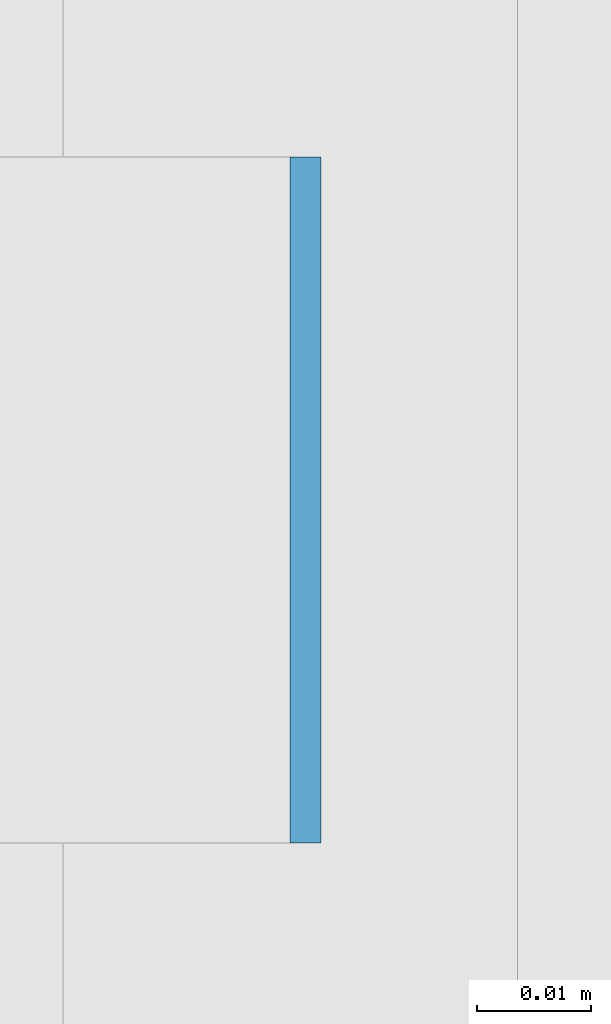
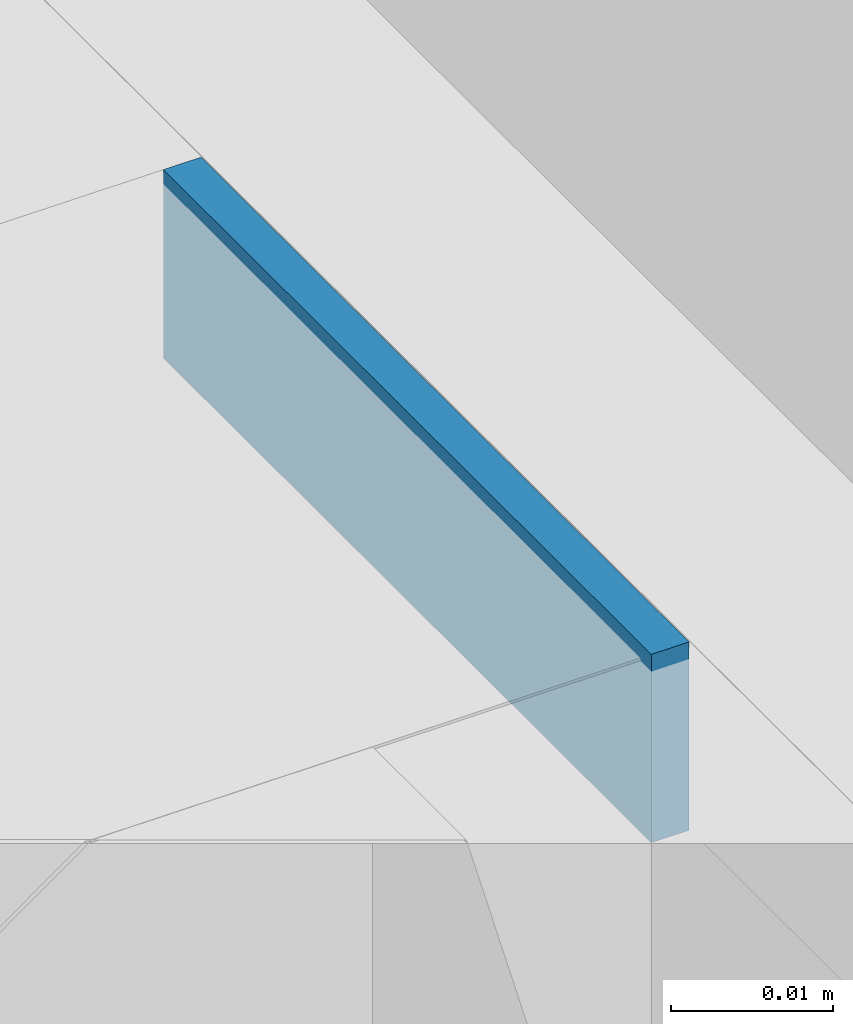
# One storey, part 257 of 646: 1 discrete accessory.
"""IFC4 building model written with IfcOpenShell, lengths in metres."""

from ifc_helpers import new_model, si_unit, direction, frame, origin, origin_2d, place, context, subcontext, project, spatial, rectangle, extrude, material, type_object, element, save


model = new_model("IFC4")

# Units and contexts
model_context = context("Model", 3, precision=1e-05, world=origin(), true_north=direction((0.0, 1.0)))
body_context = subcontext(model_context, "Body", "Model", "MODEL_VIEW")
ifc_project = project(units=[si_unit("LENGTHUNIT", "METRE"), si_unit("AREAUNIT", "SQUARE_METRE"), si_unit("VOLUMEUNIT", "CUBIC_METRE"), si_unit("PLANEANGLEUNIT", "RADIAN"), si_unit("MASSUNIT", "GRAM", prefix="KILO")], contexts=[model_context])

# Site, building, storey
site_placement = place(None, origin())
site = spatial("IfcSite", under=ifc_project, at=site_placement, CompositionType="ELEMENT")
building_placement = place(site_placement, origin())
building = spatial("IfcBuilding", under=site, at=building_placement, Name="Silverbay Arena", CompositionType="ELEMENT")
storey_placement = place(building_placement, frame((0.0, 0.0, 33.5)))
storey = spatial("IfcBuildingStorey", under=building, at=storey_placement, Name="L05", CompositionType="ELEMENT", Elevation=33.5)

# Discrete accessory
ifc_material = material(Name="Steel S355", Category="steel")
discrete_accessory_type = type_object("IfcDiscreteAccessoryType", Name="Steel bracket plate", PredefinedType="BRACKET", material=ifc_material)
discrete_accessory_placement = place(storey_placement, frame((53.871337890625, 38.571533203125, 12.98583984375), z_axis=(0.0, 0.0, 1.0), x_axis=(1.0, 0.0, 0.0)))
element("IfcDiscreteAccessory", 1, at=discrete_accessory_placement, inside=storey, type_object=discrete_accessory_type, Name="Curtain wall packing plate", PredefinedType="BRACKET", context=body_context, shape_type="SweptSolid", body=[
    extrude(rectangle(XDim=0.002685546875, YDim=0.06005859375, at=origin_2d()), origin(), (0.0, 0.0, 1.0), 0.01416015625),
])

save(model, "model.ifc")
